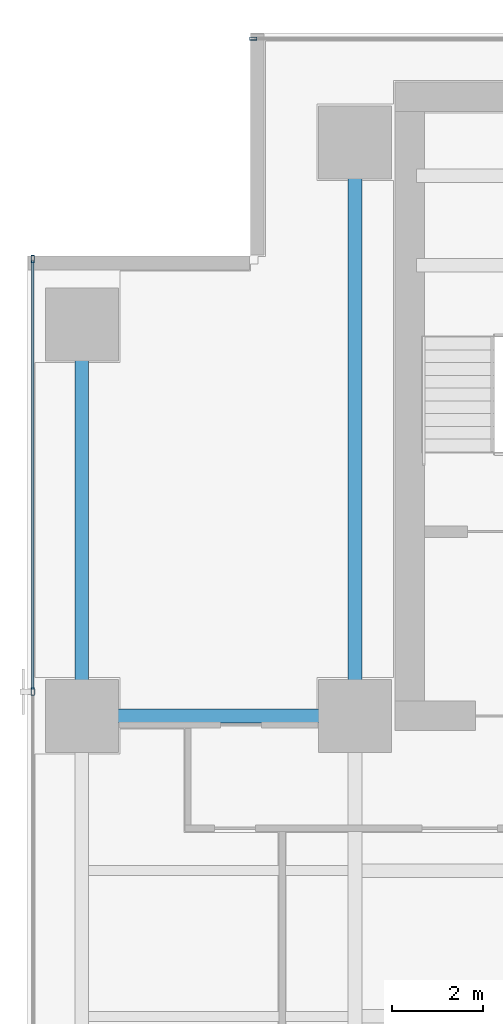
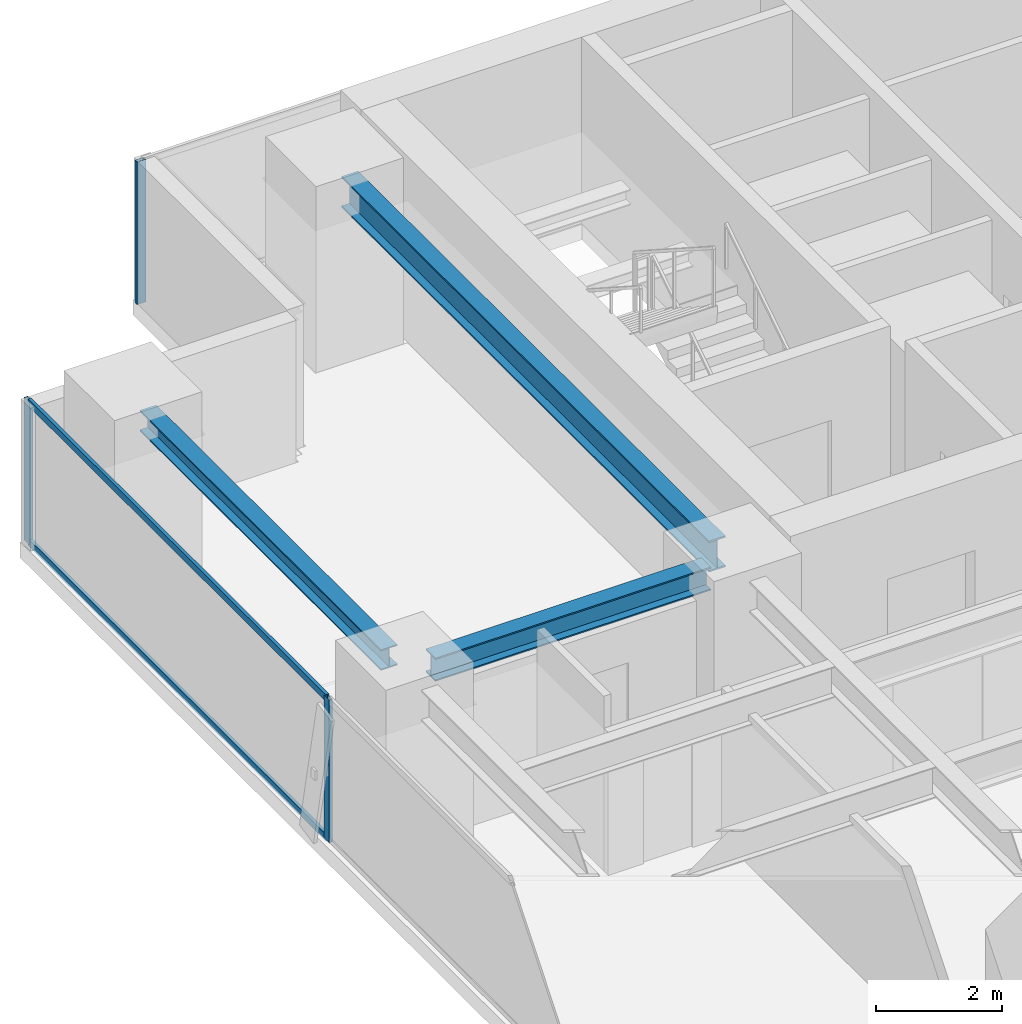
# One storey, part 14 of 29: 5 members, 3 beams, 2 elements without a shape of their own.
"""IFC4 building model written with IfcOpenShell, lengths in metres."""

import ifcopenshell
import ifcopenshell.guid

model = None  # the IFC model being written
_history = None  # IfcOwnerHistory: only IFC2X3 demands one
_inside = {}  # id of a spatial element -> (the spatial element, [elements in it])
_under = {}  # id of a project, library or spatial element -> (it, [spatial elements below it])
_declared = {}  # id of a project -> (the project, [libraries it declares])
_typed = {}  # id of a type object -> (the type object, [elements of that type])
_made_of = {}  # id of a material, layer set ... -> (it, [elements and type objects made of it])


def new_model(schema):
    """Start an empty IFC model of exactly this schema.

    Asked for "IFC4X3", IfcOpenShell would pick the latest addendum, in which some entities
    have other attributes; the version numbers below select the first issue.
    IFC2X3 requires an IfcOwnerHistory on every rooted entity: one is made here for all.
    """
    global model, _history
    if schema == "IFC4X3":
        model = ifcopenshell.file(schema_version=(4, 3, 0, 0))
    else:
        model = ifcopenshell.file(schema=schema)
    _inside.clear()
    _under.clear()
    _declared.clear()
    _typed.clear()
    _made_of.clear()
    _history = None
    if model.schema == "IFC2X3":
        org = make("IfcOrganization", Name="unknown")
        user = make(
            "IfcPersonAndOrganization",
            ThePerson=make("IfcPerson", FamilyName="unknown"),
            TheOrganization=org,
        )
        app = make(
            "IfcApplication",
            ApplicationDeveloper=org,
            Version="unknown",
            ApplicationFullName="unknown",
            ApplicationIdentifier="unknown",
        )
        _history = make(
            "IfcOwnerHistory",
            OwningUser=user,
            OwningApplication=app,
            ChangeAction="ADDED",
            CreationDate=0,
        )
    return model


def make(cls, **values):
    """One entity of the class cls with the attributes given. An attribute that is None is left unset."""
    return model.create_entity(
        cls, **{name: value for name, value in values.items() if value is not None}
    )


def rooted(cls, **values):
    """An entity with a GlobalId (a new one), such as an element, a storey or a relation."""
    return make(cls, GlobalId=ifcopenshell.guid.new(), OwnerHistory=_history, **values)


def si_unit(unit_type, name, prefix=None):
    """IfcSIUnit, for example si_unit("LENGTHUNIT", "METRE", prefix="MILLI")."""
    return make("IfcSIUnit", UnitType=unit_type, Prefix=prefix, Name=name)


def assignment(units):
    """IfcUnitAssignment: the units of a project."""
    return None if units is None else make("IfcUnitAssignment", Units=units)


def point(xyz):
    """IfcCartesianPoint."""
    return None if xyz is None else make("IfcCartesianPoint", Coordinates=xyz)


def direction(xyz):
    """IfcDirection."""
    return None if xyz is None else make("IfcDirection", DirectionRatios=xyz)


def frame(location, z_axis=None, x_axis=None):
    """IfcAxis2Placement3D, a coordinate frame: its origin and axes. An axis left out is left unset."""
    return make(
        "IfcAxis2Placement3D",
        Location=point(location),
        Axis=direction(z_axis),
        RefDirection=direction(x_axis),
    )


def frame_2d(location, x_axis=None):
    """IfcAxis2Placement2D, a coordinate frame in the plane: its origin and x axis."""
    return make(
        "IfcAxis2Placement2D", Location=point(location), RefDirection=direction(x_axis)
    )


def origin():
    """The frame at (0, 0, 0) with its axes left unset."""
    return frame((0.0, 0.0, 0.0))


def origin_2d():
    """The frame at (0, 0) in the plane with its x axis left unset."""
    return frame_2d((0.0, 0.0))


def place(relative_to, where):
    """IfcLocalPlacement: puts the frame where relative to a parent placement (None: the world)."""
    return make(
        "IfcLocalPlacement", PlacementRelTo=relative_to, RelativePlacement=where
    )


def context(
    kind, dimensions, precision=None, world=None, true_north=None, identifier=None
):
    """IfcGeometricRepresentationContext, for example the 3D "Model" context."""
    return make(
        "IfcGeometricRepresentationContext",
        ContextIdentifier=identifier,
        ContextType=kind,
        CoordinateSpaceDimension=dimensions,
        Precision=precision,
        WorldCoordinateSystem=world,
        TrueNorth=true_north,
    )


def subcontext(parent, identifier, kind, view, scale=None):
    """IfcGeometricRepresentationSubContext, for example "Body" below "Model"."""
    return make(
        "IfcGeometricRepresentationSubContext",
        ContextIdentifier=identifier,
        ContextType=kind,
        ParentContext=parent,
        TargetScale=scale,
        TargetView=view,
    )


def project(units=None, contexts=None):
    """IfcProject with its units and contexts."""
    return rooted(
        "IfcProject",
        Name="project",
        RepresentationContexts=contexts,
        UnitsInContext=assignment(units),
    )


def spatial(cls, under=None, at=None, **own):
    """A site, building, storey or space (cls), placed at a placement, below another one or the project."""
    s = rooted(cls, ObjectPlacement=at, **own)
    if under is not None:
        _under.setdefault(under.id(), (under, []))[1].append(s)
    return s


def profile(cls, at=None, kind="AREA", **sizes):
    """A parametric profile (cls). Its sizes go by their IFC names, for example OverallWidth=200.0."""
    return make(cls, ProfileType=kind, Position=at, **sizes)


def hollow_rectangle(**sizes):
    """IfcRectangleHollowProfileDef."""
    return profile("IfcRectangleHollowProfileDef", **sizes)


def i_section(**sizes):
    """IfcIShapeProfileDef."""
    return profile("IfcIShapeProfileDef", **sizes)


def extrude(swept, where, along, depth):
    """IfcExtrudedAreaSolid: the profile swept, set in the frame where, extruded along a direction by depth."""
    return make(
        "IfcExtrudedAreaSolid",
        SweptArea=swept,
        Position=where,
        ExtrudedDirection=direction(along),
        Depth=depth,
    )


def shape(context_of_items, identifier, shape_type, items):
    """IfcShapeRepresentation: the items that make up one representation, for example the "Body"."""
    return make(
        "IfcShapeRepresentation",
        ContextOfItems=context_of_items,
        RepresentationIdentifier=identifier,
        RepresentationType=shape_type,
        Items=items,
    )


def source(mapping_origin, context_of_items, identifier, shape_type, items):
    """IfcRepresentationMap: a shape defined once, which mapped items show again and again."""
    return make(
        "IfcRepresentationMap",
        MappingOrigin=mapping_origin,
        MappedRepresentation=shape(context_of_items, identifier, shape_type, items),
    )


def transform(
    local_origin,
    x_axis=None,
    y_axis=None,
    z_axis=None,
    scale=None,
    scale2=None,
    scale3=None,
    uniform=True,
):
    """IfcCartesianTransformationOperator3D, or its non-uniform kind. x_axis, y_axis, z_axis: its Axis1, 2, 3."""
    if uniform:
        return make(
            "IfcCartesianTransformationOperator3D",
            Axis1=direction(x_axis),
            Axis2=direction(y_axis),
            LocalOrigin=point(local_origin),
            Scale=scale,
            Axis3=direction(z_axis),
        )
    return make(
        "IfcCartesianTransformationOperator3DnonUniform",
        Axis1=direction(x_axis),
        Axis2=direction(y_axis),
        LocalOrigin=point(local_origin),
        Scale=scale,
        Axis3=direction(z_axis),
        Scale2=scale2,
        Scale3=scale3,
    )


def mapped(mapping_source, mapping_target):
    """IfcMappedItem: shows the shape of a source again, moved by a transform."""
    return make(
        "IfcMappedItem", MappingSource=mapping_source, MappingTarget=mapping_target
    )


def material(Name=None, Category=None):
    """IfcMaterial."""
    return make("IfcMaterial", Name=Name, Category=Category)


def layer(
    of_material, thickness, ventilated=None, Name=None, Category=None, Priority=None
):
    """IfcMaterialLayer: one layer of a wall or slab, of a material (None: an air gap)."""
    return make(
        "IfcMaterialLayer",
        Material=of_material,
        LayerThickness=thickness,
        IsVentilated=ventilated,
        Name=Name,
        Category=Category,
        Priority=Priority,
    )


def layer_set(layers, Name=None):
    """IfcMaterialLayerSet."""
    return make("IfcMaterialLayerSet", MaterialLayers=layers, LayerSetName=Name)


def material_profile(
    of_material, cross_section, Name=None, Category=None, Priority=None
):
    """IfcMaterialProfile: a cross section and its material."""
    return make(
        "IfcMaterialProfile",
        Name=Name,
        Material=of_material,
        Profile=cross_section,
        Priority=Priority,
        Category=Category,
    )


def profile_set(profiles, Name=None, composite=None):
    """IfcMaterialProfileSet."""
    return make(
        "IfcMaterialProfileSet",
        Name=Name,
        MaterialProfiles=profiles,
        CompositeProfile=composite,
    )


def made_of(thing, what):
    """Note that an element or type object is made of a material, layer set ...; save() writes the relation."""
    if what is not None:
        _made_of.setdefault(what.id(), (what, []))[1].append(thing)
    return thing


def type_object(cls, material=None, **own):
    """A type object (cls), such as IfcWallType, which elements share."""
    return made_of(rooted(cls, **own), material)


def element(
    cls,
    number,
    at=None,
    inside=None,
    cuts=None,
    type_object=None,
    material=None,
    context=None,
    identifier="Body",
    shape_type=None,
    held_by="IfcProductDefinitionShape",
    body=None,
    shapes=None,
    **own,
):
    """One element of the class cls, such as IfcWall. Its Tag is "e" and its number.

    at: its placement. inside: the storey or other place that contains it. cuts: it is an
    opening in that element (IfcRelVoidsElement). A single representation is given by context,
    identifier, shape_type and body (its items); several are given by shapes. held_by: the class
    of the entity that holds the representations. save() writes the other relations.
    """
    e = rooted(cls, Tag="e%d" % number, ObjectPlacement=at, **own)
    if body is not None:
        shapes = [shape(context, identifier, shape_type, body)]
    if shapes is not None:
        e.Representation = make(held_by, Representations=shapes)
    if inside is not None:
        _inside.setdefault(inside.id(), (inside, []))[1].append(e)
    if cuts is not None:
        rooted(
            "IfcRelVoidsElement", RelatingBuildingElement=cuts, RelatedOpeningElement=e
        )
    if type_object is not None:
        _typed.setdefault(type_object.id(), (type_object, []))[1].append(e)
    return made_of(e, material)


def aggregate(whole, parts):
    """IfcRelAggregates: a whole, such as a stair, and the parts it consists of."""
    return rooted("IfcRelAggregates", RelatingObject=whole, RelatedObjects=parts)


def save(model, path):
    """Write the relations noted so far, then the file.

    IfcRelAggregates (storeys below a building ...), IfcRelContainedInSpatialStructure (elements
    in a storey), IfcRelDefinesByType, IfcRelAssociatesMaterial and IfcRelDeclares: one each for
    every whole, place, type object, material and project.
    """
    for whole, parts in _under.values():
        aggregate(whole, parts)
    for where, things in _inside.values():
        rooted(
            "IfcRelContainedInSpatialStructure",
            RelatedElements=things,
            RelatingStructure=where,
        )
    for kind, things in _typed.values():
        rooted("IfcRelDefinesByType", RelatedObjects=things, RelatingType=kind)
    for what, things in _made_of.values():
        rooted("IfcRelAssociatesMaterial", RelatedObjects=things, RelatingMaterial=what)
    for by, libraries in _declared.values():
        rooted("IfcRelDeclares", RelatingContext=by, RelatedDefinitions=libraries)
    model.write(path)


model = new_model("IFC4")

# Units and contexts
model_context = context("Model", 3, precision=1e-05, world=origin(), true_north=direction((0.0, 1.0)))
body_context = subcontext(model_context, "Body", "Model", "MODEL_VIEW")
ifc_project = project(units=[si_unit("LENGTHUNIT", "METRE"), si_unit("AREAUNIT", "SQUARE_METRE"), si_unit("VOLUMEUNIT", "CUBIC_METRE"), si_unit("PLANEANGLEUNIT", "RADIAN"), si_unit("MASSUNIT", "GRAM", prefix="KILO")], contexts=[model_context])

# Site, building, storey
site_placement = place(None, origin())
site = spatial("IfcSite", under=ifc_project, at=site_placement, CompositionType="ELEMENT")
building_placement = place(site_placement, origin())
building = spatial("IfcBuilding", under=site, at=building_placement, Name="Sumidabori Civic Tower", CompositionType="ELEMENT")
storey_placement = place(building_placement, frame((0.0, 0.0, 131.60009765625)))
storey = spatial("IfcBuildingStorey", under=building, at=storey_placement, Name="L33", CompositionType="ELEMENT", Elevation=131.60009765625)

# Beams
ifc_material_1 = material(Name="Steel SN490", Category="steel")
ifc_material_profile_1 = material_profile(ifc_material_1, i_section(OverallWidth=0.300048828125, OverallDepth=0.39990234375, WebThickness=0.013427734375, FlangeThickness=0.02392578125, at=origin_2d()), Name="HE 400 B")
ifc_profile_set_1 = profile_set([ifc_material_profile_1], Name="Steel SN490")
beam_type_1 = type_object("IfcBeamType", Name="BM-GIRD-400", PredefinedType="BEAM", material=ifc_profile_set_1)
shared_shape_1 = source(origin(), body_context, "Body", "SweptSolid", [
    extrude(i_section(OverallWidth=0.300048828125, OverallDepth=0.39990234375, WebThickness=0.013427734375, FlangeThickness=0.02392578125, at=origin_2d()), origin(), (0.0, 0.0, 1.0), 7.64013671875),
])
beam_1_placement = place(storey_placement, frame((-22.800048828125, 10.679931640625, 3.179931640625), z_axis=(0.0, 1.0, 0.0), x_axis=(-1.0, 0.0, 0.0)))
element("IfcBeam", 1, at=beam_1_placement, inside=storey, type_object=beam_type_1, Name="Primary Girder L33 GY-21", PredefinedType="BEAM", context=body_context, shape_type="MappedRepresentation", body=[
    mapped(shared_shape_1, transform((0.0, 0.0, 0.0), x_axis=(1.0, 0.0, 0.0), y_axis=(0.0, 1.0, 0.0), z_axis=(0.0, 0.0, 1.0), scale=1.0)),
])
ifc_material_profile_2 = material_profile(ifc_material_1, i_section(OverallWidth=0.300048828125, OverallDepth=0.60009765625, WebThickness=0.015380859375, FlangeThickness=0.030029296875, at=origin_2d()), Name="HE 600 B")
ifc_profile_set_2 = profile_set([ifc_material_profile_2], Name="Steel SN490")
beam_type_2 = type_object("IfcBeamType", Name="BM-GIRD-600", PredefinedType="BEAM", material=ifc_profile_set_2)
shared_shape_2 = source(origin(), body_context, "Body", "SweptSolid", [
    extrude(i_section(OverallWidth=0.300048828125, OverallDepth=0.60009765625, WebThickness=0.015380859375, FlangeThickness=0.030029296875, at=origin_2d()), origin(), (0.0, 0.0, 1.0), 11.64013671875),
])
beam_2_placement = place(storey_placement, frame((-16.800048828125, 10.679931640625, 3.079833984375), z_axis=(0.0, 1.0, 0.0), x_axis=(-1.0, 0.0, 0.0)))
element("IfcBeam", 2, at=beam_2_placement, inside=storey, type_object=beam_type_2, Name="Primary Girder L33 GY-25", PredefinedType="BEAM", context=body_context, shape_type="MappedRepresentation", body=[
    mapped(shared_shape_2, transform((0.0, 0.0, 0.0), x_axis=(1.0, 0.0, 0.0), y_axis=(0.0, 1.0, 0.0), z_axis=(0.0, 0.0, 1.0), scale=1.0)),
])
ifc_material_profile_3 = material_profile(ifc_material_1, i_section(OverallWidth=0.300048828125, OverallDepth=0.449951171875, WebThickness=0.013916015625, FlangeThickness=0.02587890625, at=origin_2d()), Name="HE 450 B")
ifc_profile_set_3 = profile_set([ifc_material_profile_3], Name="Steel SN490")
beam_type_3 = type_object("IfcBeamType", Name="BM-GIRD-450", PredefinedType="BEAM", material=ifc_profile_set_3)
shared_shape_3 = source(origin(), body_context, "Body", "SweptSolid", [
    extrude(i_section(OverallWidth=0.300048828125, OverallDepth=0.449951171875, WebThickness=0.013916015625, FlangeThickness=0.02587890625, at=origin_2d()), origin(), (0.0, 0.0, 1.0), 5.0400390625),
])
beam_3_placement = place(storey_placement, frame((-22.320068359375, 10.199951171875, 3.15478515625), z_axis=(1.0, 0.0, 0.0), x_axis=(0.0, 1.0, 0.0)))
element("IfcBeam", 3, at=beam_3_placement, inside=storey, type_object=beam_type_3, Name="Primary Girder L33 GX-17", PredefinedType="BEAM", context=body_context, shape_type="MappedRepresentation", body=[
    mapped(shared_shape_3, transform((0.0, 0.0, 0.0), x_axis=(1.0, 0.0, 0.0), y_axis=(0.0, 1.0, 0.0), z_axis=(0.0, 0.0, 1.0), scale=1.0)),
])

# Curtain wall, member
ifc_material_2 = material(Name="Anodised Bronze Aluminium AW-6063-T6", Category="aluminium")
ifc_layer = layer(ifc_material_2, 0.179931640625, Name="Anodised Bronze Aluminium AW-6063-T6")
ifc_layer_set = layer_set([ifc_layer], Name="Anodised Bronze Aluminium AW-6063-T6")
curtain_wall_type = type_object("IfcCurtainWallType", Name="CW-SYS-3", PredefinedType="NOTDEFINED", material=ifc_layer_set)
curtain_wall_1_placement = place(storey_placement, origin())
curtain_wall_1 = element("IfcCurtainWall", 4, at=curtain_wall_1_placement, inside=storey, type_object=curtain_wall_type, Name="Curtain Wall CW:L33:R07", PredefinedType="NOTDEFINED")
ifc_material_profile_4 = material_profile(ifc_material_2, hollow_rectangle(XDim=0.06494140625, YDim=0.159912109375, WallThickness=0.0048828125, at=origin_2d()), Name="ALU MULLION 160x65")
ifc_profile_set_4 = profile_set([ifc_material_profile_4], Name="Anodised Bronze Aluminium AW-6063-T6")
member_type_1 = type_object("IfcMemberType", Name="CW-MUL-160", PredefinedType="MULLION", material=ifc_profile_set_4)
shared_shape_4 = source(origin(), body_context, "Body", "SweptSolid", [
    extrude(hollow_rectangle(XDim=0.06494140625, YDim=0.159912109375, WallThickness=0.0048828125, at=origin_2d()), origin(), (0.0, 0.0, 1.0), 2.760009765625),
])
member_1_placement = place(storey_placement, frame((-19.03759765625, 25.080078125, 0.0), z_axis=(0.0, 0.0, 1.0), x_axis=(0.0, -1.0, 0.0)))
member_1 = element("IfcMember", 5, at=member_1_placement, type_object=member_type_1, Name="CW-3 mullion 5", PredefinedType="MULLION", context=body_context, shape_type="MappedRepresentation", body=[
    mapped(shared_shape_4, transform((0.0, 0.0, 0.0), x_axis=(1.0, 0.0, 0.0), y_axis=(0.0, 1.0, 0.0), z_axis=(0.0, 0.0, 1.0), scale=1.0)),
])
aggregate(curtain_wall_1, [member_1])

# Curtain wall, members
curtain_wall_2_placement = place(storey_placement, origin())
curtain_wall_2 = element("IfcCurtainWall", 6, at=curtain_wall_2_placement, inside=storey, type_object=curtain_wall_type, Name="Curtain Wall CW:L33:R10", PredefinedType="NOTDEFINED")
member_2_placement = place(storey_placement, frame((-23.8798828125, 20.237548828125, 0.0), z_axis=(0.0, 0.0, 1.0), x_axis=(1.0, 0.0, 0.0)))
member_2 = element("IfcMember", 7, at=member_2_placement, type_object=member_type_1, Name="CW-3 mullion 1", PredefinedType="MULLION", context=body_context, shape_type="MappedRepresentation", body=[
    mapped(shared_shape_4, transform((0.0, 0.0, 0.0), x_axis=(1.0, 0.0, 0.0), y_axis=(0.0, 1.0, 0.0), z_axis=(0.0, 0.0, 1.0), scale=1.0)),
])
member_3_placement = place(storey_placement, frame((-23.8798828125, 10.735107421875, 0.0), z_axis=(0.0, 0.0, 1.0), x_axis=(1.0, 0.0, 0.0)))
member_3 = element("IfcMember", 8, at=member_3_placement, type_object=member_type_1, Name="CW-3 mullion 2", PredefinedType="MULLION", context=body_context, shape_type="MappedRepresentation", body=[
    mapped(shared_shape_4, transform((0.0, 0.0, 0.0), x_axis=(1.0, 0.0, 0.0), y_axis=(0.0, 1.0, 0.0), z_axis=(0.0, 0.0, 1.0), scale=1.0)),
])
ifc_material_profile_5 = material_profile(ifc_material_2, hollow_rectangle(XDim=0.06005859375, YDim=0.1298828125, WallThickness=0.0048828125, at=origin_2d()), Name="ALU TRANSOM 130x60")
ifc_profile_set_5 = profile_set([ifc_material_profile_5], Name="Anodised Bronze Aluminium AW-6063-T6")
member_type_2 = type_object("IfcMemberType", Name="CW-TRN-130", PredefinedType="USERDEFINED", material=ifc_profile_set_5)
shared_shape_5 = source(origin(), body_context, "Body", "SweptSolid", [
    extrude(hollow_rectangle(XDim=0.06005859375, YDim=0.1298828125, WallThickness=0.0048828125, at=origin_2d()), origin(), (0.0, 0.0, 1.0), 9.4375),
])
member_4_placement = place(storey_placement, frame((-23.8798828125, 20.205078125, 0.02978515625), z_axis=(0.0, -1.0, 0.0), x_axis=(1.0, 0.0, 0.0)))
member_4 = element("IfcMember", 9, at=member_4_placement, type_object=member_type_2, Name="CW-3 transom 1.1", ObjectType="TRANSOM", PredefinedType="USERDEFINED", context=body_context, shape_type="MappedRepresentation", body=[
    mapped(shared_shape_5, transform((0.0, 0.0, 0.0), x_axis=(1.0, 0.0, 0.0), y_axis=(0.0, 1.0, 0.0), z_axis=(0.0, 0.0, 1.0), scale=1.0)),
])
member_5_placement = place(storey_placement, frame((-23.8798828125, 20.205078125, 2.72998046875), z_axis=(0.0, -1.0, 0.0), x_axis=(1.0, 0.0, 0.0)))
member_5 = element("IfcMember", 10, at=member_5_placement, type_object=member_type_2, Name="CW-3 transom 1.2", ObjectType="TRANSOM", PredefinedType="USERDEFINED", context=body_context, shape_type="MappedRepresentation", body=[
    mapped(shared_shape_5, transform((0.0, 0.0, 0.0), x_axis=(1.0, 0.0, 0.0), y_axis=(0.0, 1.0, 0.0), z_axis=(0.0, 0.0, 1.0), scale=1.0)),
])
aggregate(curtain_wall_2, [member_2, member_3, member_4, member_5])

save(model, "model.ifc")
